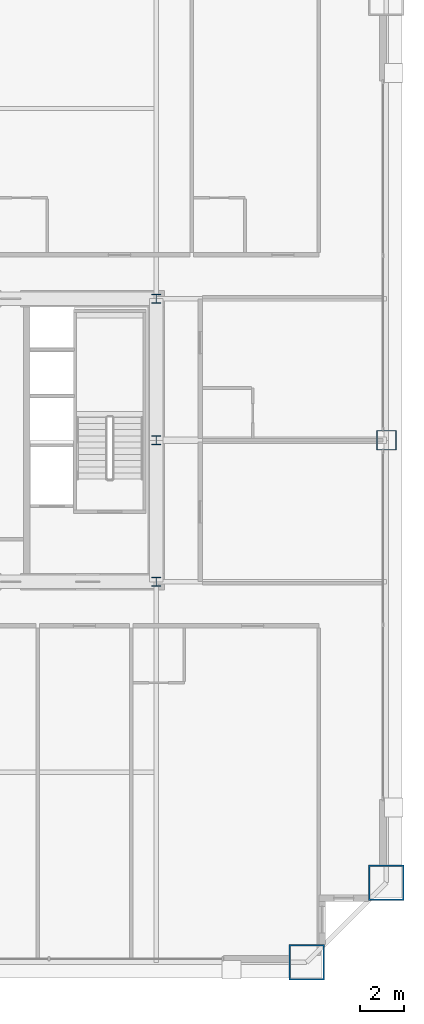
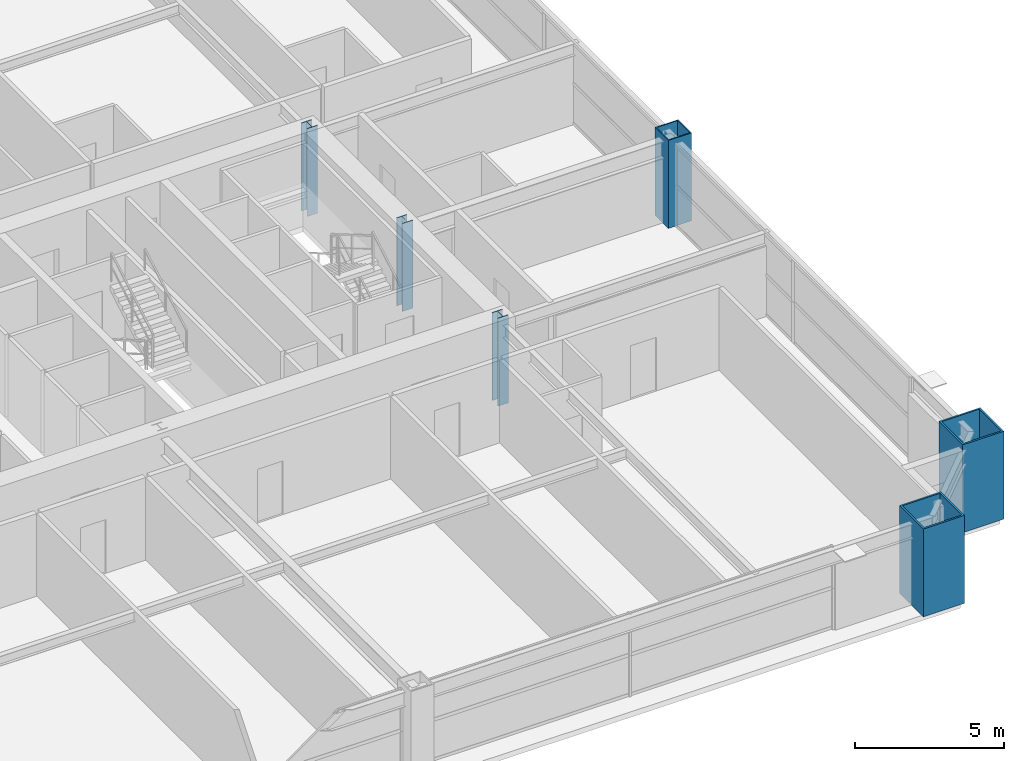
# One storey, part 2 of 39: 6 columns.
"""IFC4 building model written with IfcOpenShell, lengths in metres."""

from ifc_helpers import new_model, si_unit, direction, frame, origin, origin_2d, place, context, subcontext, project, spatial, hollow_rectangle, i_section, extrude, source, transform, mapped, material, material_profile, profile_set, type_object, element, save


model = new_model("IFC4")

# Units and contexts
model_context = context("Model", 3, precision=1e-05, world=origin(), true_north=direction((0.0, 1.0)))
body_context = subcontext(model_context, "Body", "Model", "MODEL_VIEW")
ifc_project = project(units=[si_unit("LENGTHUNIT", "METRE"), si_unit("AREAUNIT", "SQUARE_METRE"), si_unit("VOLUMEUNIT", "CUBIC_METRE"), si_unit("PLANEANGLEUNIT", "RADIAN"), si_unit("MASSUNIT", "GRAM", prefix="KILO"), si_unit("THERMODYNAMICTEMPERATUREUNIT", "KELVIN"), si_unit("POWERUNIT", "WATT")], contexts=[model_context])

# Site, building, storey
site_placement = place(None, origin())
site = spatial("IfcSite", under=ifc_project, at=site_placement, CompositionType="ELEMENT")
building_placement = place(site_placement, origin())
building = spatial("IfcBuilding", under=site, at=building_placement, Name="Yuzanri Waterfront Tower", CompositionType="ELEMENT")
storey_placement = place(building_placement, frame((0.0, 0.0, 148.800048828125)))
storey = spatial("IfcBuildingStorey", under=building, at=storey_placement, Name="L39", CompositionType="ELEMENT", Elevation=148.800048828125)

# Columns
ifc_material_1 = material(Name="Steel Q390GJC", Category="steel")
ifc_material_profile_1 = material_profile(ifc_material_1, hollow_rectangle(XDim=0.89990234375, YDim=0.89990234375, WallThickness=0.0419921875, at=origin_2d()), Name="RHS 900x900x42")
ifc_profile_set_1 = profile_set([ifc_material_profile_1], Name="Steel Q390GJC")
column_type_1 = type_object("IfcColumnType", Name="Frame Column Q390GJC RHS 900x900x42", PredefinedType="COLUMN", material=ifc_profile_set_1)
shared_shape_1 = source(origin(), body_context, "Body", "SweptSolid", [
    extrude(hollow_rectangle(XDim=0.89990234375, YDim=0.89990234375, WallThickness=0.0419921875, at=origin_2d()), origin(), (0.0, 0.0, 1.0), 3.599853515625),
])
column_placement = place(storey_placement, frame((60.60009765625, 25.800048828125, 0.0), z_axis=(0.0, 0.0, 1.0), x_axis=(1.0, 0.0, 0.0)))
element("IfcColumn", 1, at=column_placement, inside=storey, type_object=column_type_1, Name="L39 Perimeter Frame Column E2", PredefinedType="COLUMN", context=body_context, shape_type="MappedRepresentation", body=[
    mapped(shared_shape_1, transform((0.0, 0.0, 0.0), scale=1.0)),
])
ifc_material_2 = material(Name="Steel Q420GJC", Category="steel")
ifc_material_profile_2 = material_profile(ifc_material_2, hollow_rectangle(XDim=1.60009765625, YDim=1.60009765625, WallThickness=0.070068359375, at=origin_2d()), Name="RHS 1600x1600x70")
ifc_profile_set_2 = profile_set([ifc_material_profile_2], Name="Steel Q420GJC")
column_type_2 = type_object("IfcColumnType", Name="Mega Column Q420GJC RHS 1600x1600x70", PredefinedType="COLUMN", material=ifc_profile_set_2)
shared_shape_2 = source(origin(), body_context, "Body", "SweptSolid", [
    extrude(hollow_rectangle(XDim=1.60009765625, YDim=1.60009765625, WallThickness=0.070068359375, at=origin_2d()), origin(), (0.0, 0.0, 1.0), 3.599853515625),
])
for number, where, z_axis, x_axis, name in (
    (2, (57.0, 2.199951171875, 0.0), (0.0, 0.0, 1.0), (1.0, 0.0, 0.0), "L39 Perimeter Mega Column S3"),
    (3, (60.60009765625, 5.800048828125, 0.0), (0.0, 0.0, 1.0), (1.0, 0.0, 0.0), "L39 Perimeter Mega Column E1"),
):
    element("IfcColumn", number, at=place(storey_placement, frame(where, z_axis=z_axis, x_axis=x_axis)), inside=storey, type_object=column_type_2, Name=name, PredefinedType="COLUMN", context=body_context, shape_type="MappedRepresentation", body=[
        mapped(shared_shape_2, transform((0.0, 0.0, 0.0), scale=1.0)),
    ])
ifc_material_3 = material(Name="Steel Q355B", Category="steel")
ifc_material_profile_3 = material_profile(ifc_material_3, i_section(OverallWidth=0.39990234375, OverallDepth=0.39990234375, WebThickness=0.012939453125, FlangeThickness=0.02099609375, at=origin_2d()), Name="HW 400x400x13x21")
ifc_profile_set_3 = profile_set([ifc_material_profile_3], Name="Steel Q355B")
column_type_3 = type_object("IfcColumnType", Name="Core Post Q355B HW 400x400x13x21", PredefinedType="COLUMN", material=ifc_profile_set_3)
shared_shape_3 = source(origin(), body_context, "Body", "SweptSolid", [
    extrude(i_section(OverallWidth=0.39990234375, OverallDepth=0.39990234375, WebThickness=0.012939453125, FlangeThickness=0.02099609375, at=origin_2d()), origin(), (0.0, 0.0, 1.0), 3.599853515625),
])
for number, where, z_axis, x_axis, name in (
    (4, (50.199951171875, 19.39990234375, 0.0), (0.0, 0.0, 1.0), (1.0, 0.0, 0.0), "L39 Core Boundary Column CP3"),
    (5, (50.199951171875, 25.800048828125, 0.0), (0.0, 0.0, 1.0), (1.0, 0.0, 0.0), "L39 Core Boundary Column CP5"),
    (6, (50.199951171875, 32.199951171875, 0.0), (0.0, 0.0, 1.0), (1.0, 0.0, 0.0), "L39 Core Boundary Column CP8"),
):
    element("IfcColumn", number, at=place(storey_placement, frame(where, z_axis=z_axis, x_axis=x_axis)), inside=storey, type_object=column_type_3, Name=name, PredefinedType="COLUMN", context=body_context, shape_type="MappedRepresentation", body=[
        mapped(shared_shape_3, transform((0.0, 0.0, 0.0), scale=1.0)),
    ])

save(model, "model.ifc")
